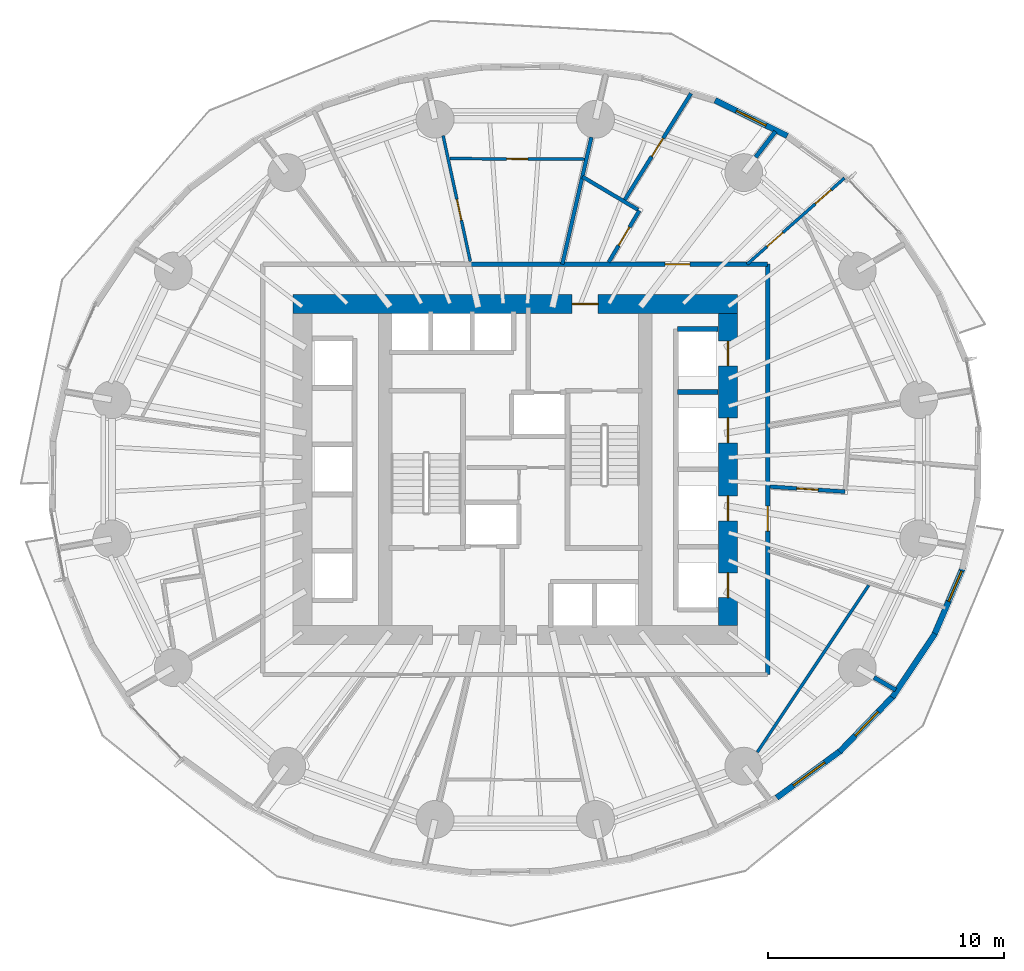
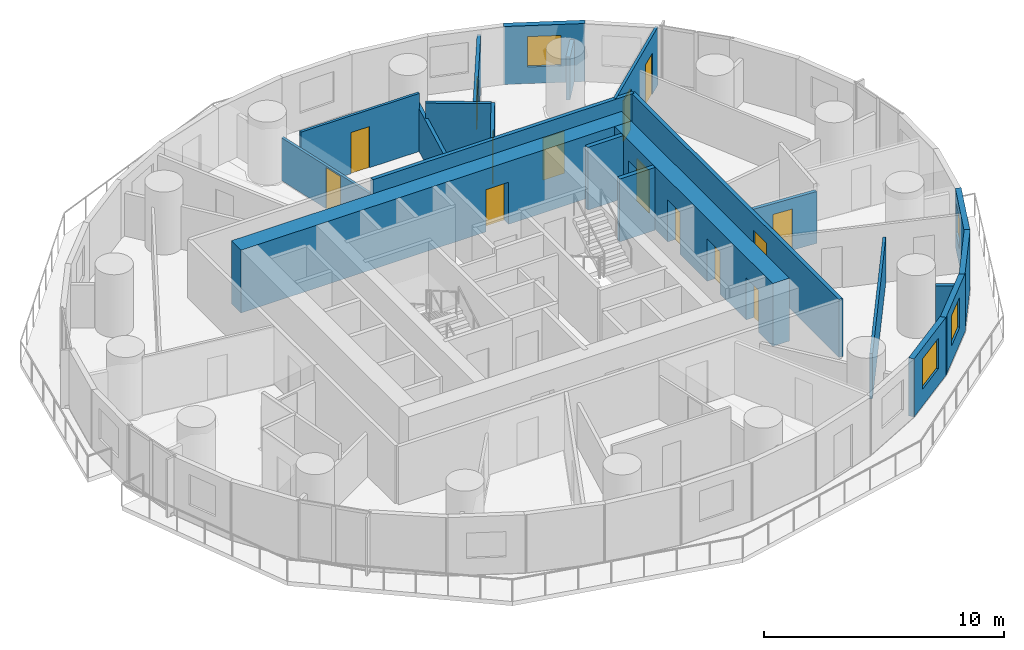
# One storey, part 9 of 14: 22 walls, 14 doors, 4 windows, 18 openings.
"""IFC4 building model written with IfcOpenShell, lengths in metres."""

from ifc_helpers import new_model, si_unit, direction, frame, frame_2d, origin, place, context, subcontext, project, spatial, rectangle, extrude, material, layer, layer_set, type_object, element, fill, save


model = new_model("IFC4")

# Units and contexts
model_context = context("Model", 3, precision=1e-05, world=origin(), true_north=direction((0.0, 1.0)))
body_context = subcontext(model_context, "Body", "Model", "MODEL_VIEW")
ifc_project = project(units=[si_unit("LENGTHUNIT", "METRE"), si_unit("AREAUNIT", "SQUARE_METRE"), si_unit("VOLUMEUNIT", "CUBIC_METRE"), si_unit("PLANEANGLEUNIT", "RADIAN"), si_unit("MASSUNIT", "GRAM", prefix="KILO")], contexts=[model_context])

# Site, building, storey
site_placement = place(None, origin())
site = spatial("IfcSite", under=ifc_project, at=site_placement, CompositionType="ELEMENT")
building_placement = place(site_placement, origin())
building = spatial("IfcBuilding", under=site, at=building_placement, Name="Veldorim Arch Residences", CompositionType="ELEMENT")
storey_placement = place(building_placement, frame((0.0, 0.0, 31.199951171875)))
storey = spatial("IfcBuildingStorey", under=building, at=storey_placement, Name="L08", CompositionType="ELEMENT", Elevation=31.199951171875)

# Wall
ifc_material_1 = material(Name="Acoustic Gypsum Board", Category="gypsum")
ifc_layer_1 = layer(ifc_material_1, 0.125, Name="Acoustic Stud Room Partition Wall 125")
ifc_layer_set_1 = layer_set([ifc_layer_1], Name="Acoustic Gypsum Board")
wall_type_1 = type_object("IfcWallType", Name="Acoustic Stud Room Partition Wall 125", PredefinedType="PARTITIONING", material=ifc_layer_set_1)
wall_1_placement = place(storey_placement, frame((42.239990234375, 12.037353515625, 0.0), z_axis=(0.0, 0.0, 1.0), x_axis=(0.55508513016, 0.831793543059, 0.0)))
element("IfcWall", 1, at=wall_1_placement, inside=storey, type_object=wall_type_1, Name="L08 interior wall WL-RES-L08-021", PredefinedType="PARTITIONING", context=body_context, shape_type="SweptSolid", body=[
    extrude(rectangle(XDim=8.48779296875, YDim=0.125, at=frame_2d((4.243896484375, 0.0))), origin(), (0.0, 0.0, 1.0), 2.327880859375),
])

# Wall, openings, doors
wall_2_placement = place(storey_placement, frame((45.927001953125, 36.32568359375, 0.0), z_axis=(0.0, 0.0, 1.0), x_axis=(-0.748844909992, -0.662745275939, 0.0)))
wall_2 = element("IfcWall", 2, at=wall_2_placement, inside=storey, type_object=wall_type_1, Name="L08 interior wall WL-RES-L08-023", PredefinedType="PARTITIONING", context=body_context, shape_type="SweptSolid", body=[
    extrude(rectangle(XDim=5.5009765625, YDim=0.125, at=frame_2d((2.75048828125, 0.0))), origin(), (0.0, 0.0, 1.0), 2.955078125),
])
opening_1_placement = place(wall_2_placement, frame((0.74609375, 0.0, 0.0)))
opening_1 = element("IfcOpeningElement", 3, at=opening_1_placement, cuts=wall_2, Name="Opening DR-INT", PredefinedType="OPENING", context=body_context, shape_type="SweptSolid", body=[
    extrude(rectangle(XDim=0.89990234375, YDim=2.10009765625, at=frame_2d((0.449951171875, 1.050048828125))), frame((0.0, 0.072509765625, 0.0), z_axis=(0.0, -1.0, 0.0), x_axis=(1.0, 0.0, 0.0)), (0.0, 0.0, 1.0), 0.14501953125),
])
opening_2_placement = place(wall_2_placement, frame((3.476318359375, 0.0, 0.0)))
opening_2 = element("IfcOpeningElement", 4, at=opening_2_placement, cuts=wall_2, Name="Opening DR-INT", PredefinedType="OPENING", context=body_context, shape_type="SweptSolid", body=[
    extrude(rectangle(XDim=0.89990234375, YDim=2.10009765625, at=frame_2d((0.449951171875, 1.050048828125))), frame((0.0, 0.072509765625, 0.0), z_axis=(0.0, -1.0, 0.0), x_axis=(1.0, 0.0, 0.0)), (0.0, 0.0, 1.0), 0.14501953125),
])
ifc_material_2 = material(Name="Engineered Timber", Category="wood")
door_type_1 = type_object("IfcDoorType", Name="Apartment Internal Room Timber Door 900x2100", OperationType="SINGLE_SWING_LEFT", PredefinedType="DOOR", material=ifc_material_2)
door_1_placement = place(opening_1_placement, origin())
door_1 = element("IfcDoor", 5, at=door_1_placement, inside=storey, type_object=door_type_1, Name="L08 interior door DR-RES-L08-015", OperationType="SINGLE_SWING_LEFT", OverallHeight=2.10009765625, OverallWidth=0.89990234375, PredefinedType="DOOR", context=body_context, shape_type="SweptSolid", body=[
    extrude(rectangle(XDim=0.89990234375, YDim=2.10009765625, at=frame_2d((0.449951171875, 1.050048828125))), frame((0.0, 0.02490234375, 0.0), z_axis=(0.0, -1.0, 0.0), x_axis=(1.0, 0.0, 0.0)), (0.0, 0.0, 1.0), 0.050048828125),
])
fill(opening_1, door_1)
door_2_placement = place(opening_2_placement, origin())
door_2 = element("IfcDoor", 6, at=door_2_placement, inside=storey, type_object=door_type_1, Name="L08 interior door DR-RES-L08-016", OperationType="SINGLE_SWING_RIGHT", OverallHeight=2.10009765625, OverallWidth=0.89990234375, PredefinedType="DOOR", context=body_context, shape_type="SweptSolid", body=[
    extrude(rectangle(XDim=0.89990234375, YDim=2.10009765625, at=frame_2d((0.449951171875, 1.050048828125))), frame((0.0, 0.02490234375, 0.0), z_axis=(0.0, -1.0, 0.0), x_axis=(1.0, 0.0, 0.0)), (0.0, 0.0, 1.0), 0.050048828125),
])
fill(opening_2, door_2)

# Wall, opening, door
wall_3_placement = place(storey_placement, frame((28.94580078125, 38.120849609375, 0.0), z_axis=(0.0, 0.0, 1.0), x_axis=(0.211435796324, -0.977391888667, 0.0)))
wall_3 = element("IfcWall", 7, at=wall_3_placement, inside=storey, type_object=wall_type_1, Name="L08 interior wall WL-RES-L08-029", PredefinedType="PARTITIONING", context=body_context, shape_type="SweptSolid", body=[
    extrude(rectangle(XDim=5.446533203125, YDim=0.125, at=frame_2d((2.72314453125, 0.0))), origin(), (0.0, 0.0, 1.0), 2.17822265625),
])
opening_3_placement = place(wall_3_placement, frame((2.76171875, 0.0, 0.0)))
opening_3 = element("IfcOpeningElement", 8, at=opening_3_placement, cuts=wall_3, Name="Opening DR-INT", PredefinedType="OPENING", context=body_context, shape_type="SweptSolid", body=[
    extrude(rectangle(XDim=0.89990234375, YDim=2.10009765625, at=frame_2d((0.449951171875, 1.050048828125))), frame((0.0, 0.072509765625, 0.0), z_axis=(0.0, -1.0, 0.0), x_axis=(1.0, 0.0, 0.0)), (0.0, 0.0, 1.0), 0.14501953125),
])
door_3_placement = place(opening_3_placement, origin())
door_3 = element("IfcDoor", 9, at=door_3_placement, inside=storey, type_object=door_type_1, Name="L08 interior door DR-RES-L08-020", OperationType="SINGLE_SWING_RIGHT", OverallHeight=2.10009765625, OverallWidth=0.89990234375, PredefinedType="DOOR", context=body_context, shape_type="SweptSolid", body=[
    extrude(rectangle(XDim=0.89990234375, YDim=2.10009765625, at=frame_2d((0.449951171875, 1.050048828125))), frame((0.0, 0.02490234375, 0.0), z_axis=(0.0, -1.0, 0.0), x_axis=(1.0, 0.0, 0.0)), (0.0, 0.0, 1.0), 0.050048828125),
])
fill(opening_3, door_3)

wall_4_placement = place(storey_placement, frame((29.236572265625, 37.146484375, 0.0), z_axis=(0.0, 0.0, 1.0), x_axis=(0.999989854874, -0.004504458806, 0.0)))
wall_4 = element("IfcWall", 10, at=wall_4_placement, inside=storey, type_object=wall_type_1, Name="L08 interior wall WL-RES-L08-031", PredefinedType="PARTITIONING", context=body_context, shape_type="SweptSolid", body=[
    extrude(rectangle(XDim=5.69091796875, YDim=0.125, at=frame_2d((2.845458984375, 0.0))), origin(), (0.0, 0.0, 1.0), 2.955078125),
])
opening_4_placement = place(wall_4_placement, frame((2.3955078125, 0.0, 0.0)))
opening_4 = element("IfcOpeningElement", 11, at=opening_4_placement, cuts=wall_4, Name="Opening DR-INT", PredefinedType="OPENING", context=body_context, shape_type="SweptSolid", body=[
    extrude(rectangle(XDim=0.89990234375, YDim=2.10009765625, at=frame_2d((0.449951171875, 1.050048828125))), frame((0.0, 0.072509765625, 0.0), z_axis=(0.0, -1.0, 0.0), x_axis=(1.0, 0.0, 0.0)), (0.0, 0.0, 1.0), 0.14501953125),
])
door_4_placement = place(opening_4_placement, origin())
door_4 = element("IfcDoor", 12, at=door_4_placement, inside=storey, type_object=door_type_1, Name="L08 interior door DR-RES-L08-021", OperationType="SINGLE_SWING_LEFT", OverallHeight=2.10009765625, OverallWidth=0.89990234375, PredefinedType="DOOR", context=body_context, shape_type="SweptSolid", body=[
    extrude(rectangle(XDim=0.89990234375, YDim=2.10009765625, at=frame_2d((0.449951171875, 1.050048828125))), frame((0.0, 0.02490234375, 0.0), z_axis=(0.0, -1.0, 0.0), x_axis=(1.0, 0.0, 0.0)), (0.0, 0.0, 1.0), 0.050048828125),
])
fill(opening_4, door_4)

# Walls
ifc_material_3 = material(Name="Lightweight Masonry Block & Gypsum", Category="masonry")
ifc_layer_2 = layer(ifc_material_3, 0.179931640625, Name="Compartment & Corridor Fire-Rated Party Wall 180")
ifc_layer_set_2 = layer_set([ifc_layer_2], Name="Lightweight Masonry Block & Gypsum")
wall_type_2 = type_object("IfcWallType", Name="Compartment & Corridor Fire-Rated Party Wall 180", PredefinedType="PARTITIONING", material=ifc_layer_set_2)
wall_5_placement = place(storey_placement, frame((42.167236328125, 37.204833984375, 0.0), z_axis=(0.0, 0.0, 1.0), x_axis=(0.609967804345, 0.792426196982, 0.0)))
element("IfcWall", 13, at=wall_5_placement, inside=storey, type_object=wall_type_2, Name="L08 interior wall WL-PIER-L08-03", PredefinedType="PARTITIONING", context=body_context, shape_type="SweptSolid", body=[
    extrude(rectangle(XDim=1.376953125, YDim=0.179931640625, at=frame_2d((0.6884765625, 0.0))), origin(), (0.0, 0.0, 1.0), 2.17822265625),
])
wall_6_placement = place(storey_placement, frame((47.177001953125, 15.19970703125, 0.0), z_axis=(0.0, 0.0, 1.0), x_axis=(0.865001274409, -0.501769663562, 0.0)))
element("IfcWall", 14, at=wall_6_placement, inside=storey, type_object=wall_type_2, Name="L08 interior wall WL-PIER-L08-15", PredefinedType="PARTITIONING", context=body_context, shape_type="SweptSolid", body=[
    extrude(rectangle(XDim=1.062744140625, YDim=0.179931640625, at=frame_2d((0.53125, 0.0))), origin(), (0.0, 0.0, 1.0), 2.17822265625),
])

# Wall, opening, door
wall_7_placement = place(storey_placement, frame((42.679931640625, 32.679931640625, 0.0), z_axis=(0.0, 0.0, 1.0), x_axis=(0.0, -1.0, 0.0)))
wall_7 = element("IfcWall", 15, at=wall_7_placement, inside=storey, type_object=wall_type_2, Name="L08 interior wall WL-RES-L08-004", PredefinedType="PARTITIONING", context=body_context, shape_type="SweptSolid", body=[
    extrude(rectangle(XDim=17.35986328125, YDim=0.179931640625, at=frame_2d((8.679931640625, 0.0))), origin(), (0.0, 0.0, 1.0), 2.955078125),
])
opening_5_placement = place(wall_7_placement, frame((10.239501953125, 0.0, 0.0)))
opening_5 = element("IfcOpeningElement", 16, at=opening_5_placement, cuts=wall_7, Name="Opening DR-FLT", PredefinedType="OPENING", context=body_context, shape_type="SweptSolid", body=[
    extrude(rectangle(XDim=1.050048828125, YDim=2.14990234375, at=frame_2d((0.52490234375, 1.074951171875))), frame((0.0, 0.099853515625, 0.0), z_axis=(0.0, -1.0, 0.0), x_axis=(1.0, 0.0, 0.0)), (0.0, 0.0, 1.0), 0.199951171875),
])
ifc_material_4 = material(Name="Fire-Rated Timber", Category="wood")
door_type_2 = type_object("IfcDoorType", Name="Apartment Entrance Solid-Core Fire Door 1050x2150", OperationType="SINGLE_SWING_LEFT", PredefinedType="DOOR", material=ifc_material_4)
door_5_placement = place(opening_5_placement, origin())
door_5 = element("IfcDoor", 17, at=door_5_placement, inside=storey, type_object=door_type_2, Name="L08 interior door DR-RES-L08-008", OperationType="SINGLE_SWING_RIGHT", OverallHeight=2.14990234375, OverallWidth=1.050048828125, PredefinedType="DOOR", context=body_context, shape_type="SweptSolid", body=[
    extrude(rectangle(XDim=1.050048828125, YDim=2.14990234375, at=frame_2d((0.52490234375, 1.074951171875))), frame((0.0, 0.02490234375, 0.0), z_axis=(0.0, -1.0, 0.0), x_axis=(1.0, 0.0, 0.0)), (0.0, 0.0, 1.0), 0.050048828125),
])
fill(opening_5, door_5)

wall_8_placement = place(storey_placement, frame((30.102294921875, 32.679931640625, 0.0), z_axis=(0.0, 0.0, 1.0), x_axis=(1.0, 0.0, 0.0)))
wall_8 = element("IfcWall", 18, at=wall_8_placement, inside=storey, type_object=wall_type_2, Name="L08 interior wall WL-RES-L08-005", PredefinedType="PARTITIONING", context=body_context, shape_type="SweptSolid", body=[
    extrude(rectangle(XDim=12.57763671875, YDim=0.179931640625, at=frame_2d((6.288818359375, 0.0))), origin(), (0.0, 0.0, 1.0), 2.955078125),
])
opening_6_placement = place(wall_8_placement, frame((8.23291015625, 0.0, 0.0)))
opening_6 = element("IfcOpeningElement", 19, at=opening_6_placement, cuts=wall_8, Name="Opening DR-FLT", PredefinedType="OPENING", context=body_context, shape_type="SweptSolid", body=[
    extrude(rectangle(XDim=1.050048828125, YDim=2.14990234375, at=frame_2d((0.52490234375, 1.074951171875))), frame((0.0, 0.099853515625, 0.0), z_axis=(0.0, -1.0, 0.0), x_axis=(1.0, 0.0, 0.0)), (0.0, 0.0, 1.0), 0.199951171875),
])
door_6_placement = place(opening_6_placement, origin())
door_6 = element("IfcDoor", 20, at=door_6_placement, inside=storey, type_object=door_type_2, Name="L08 interior door DR-RES-L08-013", OperationType="SINGLE_SWING_LEFT", OverallHeight=2.14990234375, OverallWidth=1.050048828125, PredefinedType="DOOR", context=body_context, shape_type="SweptSolid", body=[
    extrude(rectangle(XDim=1.050048828125, YDim=2.14990234375, at=frame_2d((0.52490234375, 1.074951171875))), frame((0.0, 0.02490234375, 0.0), z_axis=(0.0, -1.0, 0.0), x_axis=(1.0, 0.0, 0.0)), (0.0, 0.0, 1.0), 0.050048828125),
])
fill(opening_6, door_6)

# Walls
ifc_material_5 = material(Name="Concrete C50/60", Category="concrete")
ifc_layer_3 = layer(ifc_material_5, 0.199951171875, Name="Core Stair & Lift Shaft Enclosure Wall 200")
ifc_layer_set_3 = layer_set([ifc_layer_3], Name="Concrete C50/60")
wall_type_3 = type_object("IfcWallType", Name="Core Stair & Lift Shaft Enclosure Wall 200", PredefinedType="SHEAR", material=ifc_layer_set_3)
for number, where, z_axis, x_axis, name in (
    (21, (38.8701171875, 29.93994140625, 0.0), (0.0, 0.0, 1.0), (1.0, 0.0, 0.0), "L08 shaft wall WL-B1-L08-N"),
    (22, (38.8701171875, 27.27490234375, 0.0), (0.0, 0.0, 1.0), (1.0, 0.0, 0.0), "L08 shaft wall WL-B1-L08-D3"),
):
    element("IfcWall", number, at=place(storey_placement, frame(where, z_axis=z_axis, x_axis=x_axis)), inside=storey, type_object=wall_type_3, Name=name, PredefinedType="SHEAR", context=body_context, shape_type="SweptSolid", body=[
        extrude(rectangle(XDim=1.7099609375, YDim=0.199951171875, at=frame_2d((0.85498046875, 0.0))), origin(), (0.0, 0.0, 1.0), 3.199951171875),
    ])

# Wall, opening, door
ifc_material_6 = material(Name="Concrete C60/75", Category="concrete")
ifc_layer_4 = layer(ifc_material_6, 0.800048828125, Name="Lower Central Core Shear Wall 800")
ifc_layer_set_4 = layer_set([ifc_layer_4], Name="Concrete C60/75")
wall_type_4 = type_object("IfcWallType", Name="Lower Central Core Shear Wall 800", PredefinedType="SHEAR", material=ifc_layer_set_4)
wall_9_placement = place(storey_placement, frame((22.60009765625, 31.0, 0.0), z_axis=(0.0, 0.0, 1.0), x_axis=(1.0, 0.0, 0.0)))
wall_9 = element("IfcWall", 23, at=wall_9_placement, inside=storey, type_object=wall_type_4, Name="L08 central core north shear wall", PredefinedType="SHEAR", context=body_context, shape_type="SweptSolid", body=[
    extrude(rectangle(XDim=18.7998046875, YDim=0.800048828125, at=frame_2d((9.39990234375, 0.0))), origin(), (0.0, 0.0, 1.0), 3.199951171875),
])
opening_7_placement = place(wall_9_placement, frame((11.800048828125, 0.0, 0.0)))
opening_7 = element("IfcOpeningElement", 24, at=opening_7_placement, cuts=wall_9, Name="Opening DR-FFL", PredefinedType="OPENING", context=body_context, shape_type="SweptSolid", body=[
    extrude(rectangle(XDim=1.10009765625, YDim=2.14990234375, at=frame_2d((0.550048828125, 1.074951171875))), frame((0.0, 0.409912109375, 0.0), z_axis=(0.0, -1.0, 0.0), x_axis=(1.0, 0.0, 0.0)), (0.0, 0.0, 1.0), 0.820068359375),
])
ifc_material_7 = material(Name="Fire-Rated Steel & Vision Glass", Category="steel")
door_type_3 = type_object("IfcDoorType", Name="Firefighting Lobby Smoke-Stop Fire Door 1100x2150", OperationType="SINGLE_SWING_LEFT", PredefinedType="DOOR", material=ifc_material_7)
door_7_placement = place(opening_7_placement, origin())
door_7 = element("IfcDoor", 25, at=door_7_placement, inside=storey, type_object=door_type_3, Name="L08 interior door DR-L08-FFL2", OperationType="SINGLE_SWING_LEFT", OverallHeight=2.14990234375, OverallWidth=1.10009765625, PredefinedType="DOOR", context=body_context, shape_type="SweptSolid", body=[
    extrude(rectangle(XDim=1.10009765625, YDim=2.14990234375, at=frame_2d((0.550048828125, 1.074951171875))), frame((0.0, 0.02490234375, 0.0), z_axis=(0.0, -1.0, 0.0), x_axis=(1.0, 0.0, 0.0)), (0.0, 0.0, 1.0), 0.050048828125),
])
fill(opening_7, door_7)

# Wall, openings, doors
wall_10_placement = place(storey_placement, frame((41.0, 17.39990234375, 0.0), z_axis=(0.0, 0.0, 1.0), x_axis=(0.0, 1.0, 0.0)))
wall_10 = element("IfcWall", 26, at=wall_10_placement, inside=storey, type_object=wall_type_4, Name="L08 central core east shear wall", PredefinedType="SHEAR", context=body_context, shape_type="SweptSolid", body=[
    extrude(rectangle(XDim=13.2001953125, YDim=0.800048828125, at=frame_2d((6.60009765625, 0.0))), origin(), (0.0, 0.0, 1.0), 3.199951171875),
])
opening_8_placement = place(wall_10_placement, frame((1.175048828125, 0.0, 0.0)))
opening_8 = element("IfcOpeningElement", 27, at=opening_8_placement, cuts=wall_10, Name="Opening LD-PS", PredefinedType="OPENING", context=body_context, shape_type="SweptSolid", body=[
    extrude(rectangle(XDim=1.050048828125, YDim=2.14990234375, at=frame_2d((0.52490234375, 1.074951171875))), frame((0.0, 0.409912109375, 0.0), z_axis=(0.0, -1.0, 0.0), x_axis=(1.0, 0.0, 0.0)), (0.0, 0.0, 1.0), 0.820068359375),
])
opening_9_placement = place(wall_10_placement, frame((4.425048828125, 0.0, 0.0)))
opening_9 = element("IfcOpeningElement", 28, at=opening_9_placement, cuts=wall_10, Name="Opening LD-PS", PredefinedType="OPENING", context=body_context, shape_type="SweptSolid", body=[
    extrude(rectangle(XDim=1.050048828125, YDim=2.14990234375, at=frame_2d((0.52490234375, 1.074951171875))), frame((0.0, 0.409912109375, 0.0), z_axis=(0.0, -1.0, 0.0), x_axis=(1.0, 0.0, 0.0)), (0.0, 0.0, 1.0), 0.820068359375),
])
opening_10_placement = place(wall_10_placement, frame((7.72509765625, 0.0, 0.0)))
opening_10 = element("IfcOpeningElement", 29, at=opening_10_placement, cuts=wall_10, Name="Opening LD-PS", PredefinedType="OPENING", context=body_context, shape_type="SweptSolid", body=[
    extrude(rectangle(XDim=1.050048828125, YDim=2.14990234375, at=frame_2d((0.52490234375, 1.074951171875))), frame((0.0, 0.409912109375, 0.0), z_axis=(0.0, -1.0, 0.0), x_axis=(1.0, 0.0, 0.0)), (0.0, 0.0, 1.0), 0.820068359375),
])
opening_11_placement = place(wall_10_placement, frame((10.97509765625, 0.0, 0.0)))
opening_11 = element("IfcOpeningElement", 30, at=opening_11_placement, cuts=wall_10, Name="Opening LD-PS", PredefinedType="OPENING", context=body_context, shape_type="SweptSolid", body=[
    extrude(rectangle(XDim=1.050048828125, YDim=2.14990234375, at=frame_2d((0.52490234375, 1.074951171875))), frame((0.0, 0.409912109375, 0.0), z_axis=(0.0, -1.0, 0.0), x_axis=(1.0, 0.0, 0.0)), (0.0, 0.0, 1.0), 0.820068359375),
])
ifc_material_8 = material(Name="Stainless Steel", Category="steel")
door_type_4 = type_object("IfcDoorType", Name="Passenger Lift Bi-Parting Sliding Landing Door 1050x2150", OperationType="DOUBLE_DOOR_SLIDING", PredefinedType="DOOR", material=ifc_material_8)
door_8_placement = place(opening_8_placement, origin())
door_8 = element("IfcDoor", 31, at=door_8_placement, inside=storey, type_object=door_type_4, Name="L08 lift landing door LD-L08-PL-01", OperationType="DOUBLE_DOOR_SLIDING", OverallHeight=2.14990234375, OverallWidth=1.050048828125, PredefinedType="DOOR", context=body_context, shape_type="SweptSolid", body=[
    extrude(rectangle(XDim=1.050048828125, YDim=2.14990234375, at=frame_2d((0.52490234375, 1.074951171875))), frame((0.0, 0.02490234375, 0.0), z_axis=(0.0, -1.0, 0.0), x_axis=(1.0, 0.0, 0.0)), (0.0, 0.0, 1.0), 0.050048828125),
])
fill(opening_8, door_8)
door_9_placement = place(opening_9_placement, origin())
door_9 = element("IfcDoor", 32, at=door_9_placement, inside=storey, type_object=door_type_4, Name="L08 lift landing door LD-L08-PL-02", OperationType="DOUBLE_DOOR_SLIDING", OverallHeight=2.14990234375, OverallWidth=1.050048828125, PredefinedType="DOOR", context=body_context, shape_type="SweptSolid", body=[
    extrude(rectangle(XDim=1.050048828125, YDim=2.14990234375, at=frame_2d((0.52490234375, 1.074951171875))), frame((0.0, 0.02490234375, 0.0), z_axis=(0.0, -1.0, 0.0), x_axis=(1.0, 0.0, 0.0)), (0.0, 0.0, 1.0), 0.050048828125),
])
fill(opening_9, door_9)
door_10_placement = place(opening_10_placement, origin())
door_10 = element("IfcDoor", 33, at=door_10_placement, inside=storey, type_object=door_type_4, Name="L08 lift landing door LD-L08-PL-03", OperationType="DOUBLE_DOOR_SLIDING", OverallHeight=2.14990234375, OverallWidth=1.050048828125, PredefinedType="DOOR", context=body_context, shape_type="SweptSolid", body=[
    extrude(rectangle(XDim=1.050048828125, YDim=2.14990234375, at=frame_2d((0.52490234375, 1.074951171875))), frame((0.0, 0.02490234375, 0.0), z_axis=(0.0, -1.0, 0.0), x_axis=(1.0, 0.0, 0.0)), (0.0, 0.0, 1.0), 0.050048828125),
])
fill(opening_10, door_10)
door_11_placement = place(opening_11_placement, origin())
door_11 = element("IfcDoor", 34, at=door_11_placement, inside=storey, type_object=door_type_4, Name="L08 lift landing door LD-L08-PL-04", OperationType="DOUBLE_DOOR_SLIDING", OverallHeight=2.14990234375, OverallWidth=1.050048828125, PredefinedType="DOOR", context=body_context, shape_type="SweptSolid", body=[
    extrude(rectangle(XDim=1.050048828125, YDim=2.14990234375, at=frame_2d((0.52490234375, 1.074951171875))), frame((0.0, 0.02490234375, 0.0), z_axis=(0.0, -1.0, 0.0), x_axis=(1.0, 0.0, 0.0)), (0.0, 0.0, 1.0), 0.050048828125),
])
fill(opening_11, door_11)

# Wall, opening, window
ifc_material_9 = material(Name="Precast concrete C40/50", Category="concrete")
ifc_layer_5 = layer(ifc_material_9, 0.25, Name="Tower Terracotta Spandrel & Pier Wall 250")
ifc_layer_set_5 = layer_set([ifc_layer_5], Name="Precast concrete C40/50")
wall_type_5 = type_object("IfcWallType", Name="Tower Terracotta Spandrel & Pier Wall 250", PredefinedType="SOLIDWALL", material=ifc_layer_set_5)
wall_11_placement = place(storey_placement, frame((40.45751953125, 39.615478515625, 0.0), z_axis=(0.0, 0.0, 1.0), x_axis=(0.896727977212, -0.442582122193, 0.0)))
wall_11 = element("IfcWall", 35, at=wall_11_placement, inside=storey, type_object=wall_type_5, Name="L08 terracotta facade wall 06", PredefinedType="SOLIDWALL", context=body_context, shape_type="SweptSolid", body=[
    extrude(rectangle(XDim=3.399169921875, YDim=0.25, at=frame_2d((1.69970703125, 0.0))), origin(), (0.0, 0.0, 1.0), 2.9599609375),
])
opening_12_placement = place(wall_11_placement, frame((1.0, 0.0, 0.85009765625)))
opening_12 = element("IfcOpeningElement", 36, at=opening_12_placement, cuts=wall_11, Name="Opening WN-02", PredefinedType="OPENING", context=body_context, shape_type="SweptSolid", body=[
    extrude(rectangle(XDim=1.39990234375, YDim=1.550048828125, at=frame_2d((0.699951171875, 0.77490234375))), frame((0.0, 0.135009765625, 0.0), z_axis=(0.0, -1.0, 0.0), x_axis=(1.0, 0.0, 0.0)), (0.0, 0.0, 1.0), 0.27001953125),
])
ifc_material_10 = material(Name="Laminated Low-E Glass", Category="glass")
window_type_1 = type_object("IfcWindowType", Name="Residential Casement Window 1400x1550", PartitioningType="SINGLE_PANEL", PredefinedType="WINDOW", material=ifc_material_10)
window_1_placement = place(opening_12_placement, origin())
window_1 = element("IfcWindow", 37, at=window_1_placement, inside=storey, type_object=window_type_1, Name="L08 solar-control facade window 06", OverallHeight=1.550048828125, OverallWidth=1.39990234375, PartitioningType="SINGLE_PANEL", PredefinedType="WINDOW", context=body_context, shape_type="SweptSolid", body=[
    extrude(rectangle(XDim=1.39990234375, YDim=1.550048828125, at=frame_2d((0.699951171875, 0.77490234375))), frame((0.0, 0.030029296875, 0.0), z_axis=(0.0, -1.0, 0.0), x_axis=(1.0, 0.0, 0.0)), (0.0, 0.0, 1.0), 0.06005859375),
])
fill(opening_12, window_1)

wall_12_placement = place(storey_placement, frame((45.797607421875, 12.120361328125, 0.0), z_axis=(0.0, 0.0, 1.0), x_axis=(-0.805405938507, -0.592723606935, 0.0)))
wall_12 = element("IfcWall", 38, at=wall_12_placement, inside=storey, type_object=wall_type_5, Name="L08 terracotta facade wall 31", PredefinedType="SOLIDWALL", context=body_context, shape_type="SweptSolid", body=[
    extrude(rectangle(XDim=3.39892578125, YDim=0.25, at=frame_2d((1.699462890625, 0.0))), origin(), (0.0, 0.0, 1.0), 2.9599609375),
])
opening_13_placement = place(wall_12_placement, frame((0.875, 0.0, 0.85009765625)))
opening_13 = element("IfcOpeningElement", 39, at=opening_13_placement, cuts=wall_12, Name="Opening WN-03", PredefinedType="OPENING", context=body_context, shape_type="SweptSolid", body=[
    extrude(rectangle(XDim=1.64990234375, YDim=1.550048828125, at=frame_2d((0.824951171875, 0.77490234375))), frame((0.0, 0.135009765625, 0.0), z_axis=(0.0, -1.0, 0.0), x_axis=(1.0, 0.0, 0.0)), (0.0, 0.0, 1.0), 0.27001953125),
])
ifc_material_11 = material(Name="Laminated Low-E Glass", Category="glass")
window_type_2 = type_object("IfcWindowType", Name="Residential Wide Window 1650x1550", PartitioningType="SINGLE_PANEL", PredefinedType="WINDOW", material=ifc_material_11)
window_2_placement = place(opening_13_placement, origin())
window_2 = element("IfcWindow", 40, at=window_2_placement, inside=storey, type_object=window_type_2, Name="L08 solar-control facade window 31", OverallHeight=1.550048828125, OverallWidth=1.64990234375, PartitioningType="SINGLE_PANEL", PredefinedType="WINDOW", context=body_context, shape_type="SweptSolid", body=[
    extrude(rectangle(XDim=1.64990234375, YDim=1.550048828125, at=frame_2d((0.824951171875, 0.77490234375))), frame((0.0, 0.030029296875, 0.0), z_axis=(0.0, -1.0, 0.0), x_axis=(1.0, 0.0, 0.0)), (0.0, 0.0, 1.0), 0.06005859375),
])
fill(opening_13, window_2)

wall_13_placement = place(storey_placement, frame((48.021484375, 14.4384765625, 0.0), z_axis=(0.0, 0.0, 1.0), x_axis=(-0.694392538781, -0.719596416115, 0.0)))
wall_13 = element("IfcWall", 41, at=wall_13_placement, inside=storey, type_object=wall_type_5, Name="L08 terracotta facade wall 32", PredefinedType="SOLIDWALL", context=body_context, shape_type="SweptSolid", body=[
    extrude(rectangle(XDim=3.322509765625, YDim=0.25, at=frame_2d((1.6611328125, 0.0))), origin(), (0.0, 0.0, 1.0), 2.9599609375),
])
opening_14_placement = place(wall_13_placement, frame((0.9609375, 0.0, 0.85009765625)))
opening_14 = element("IfcOpeningElement", 42, at=opening_14_placement, cuts=wall_13, Name="Opening WN-02", PredefinedType="OPENING", context=body_context, shape_type="SweptSolid", body=[
    extrude(rectangle(XDim=1.39990234375, YDim=1.550048828125, at=frame_2d((0.699951171875, 0.77490234375))), frame((0.0, 0.135009765625, 0.0), z_axis=(0.0, -1.0, 0.0), x_axis=(1.0, 0.0, 0.0)), (0.0, 0.0, 1.0), 0.27001953125),
])
window_3_placement = place(opening_14_placement, origin())
window_3 = element("IfcWindow", 43, at=window_3_placement, inside=storey, type_object=window_type_1, Name="L08 solar-control facade window 32", OverallHeight=1.550048828125, OverallWidth=1.39990234375, PartitioningType="SINGLE_PANEL", PredefinedType="WINDOW", context=body_context, shape_type="SweptSolid", body=[
    extrude(rectangle(XDim=1.39990234375, YDim=1.550048828125, at=frame_2d((0.699951171875, 0.77490234375))), frame((0.0, 0.030029296875, 0.0), z_axis=(0.0, -1.0, 0.0), x_axis=(1.0, 0.0, 0.0)), (0.0, 0.0, 1.0), 0.06005859375),
])
fill(opening_14, window_3)

# Wall
wall_14_placement = place(storey_placement, frame((49.7578125, 17.046630859375, 0.0), z_axis=(0.0, 0.0, 1.0), x_axis=(-0.556764929833, -0.83067009872, 0.0)))
element("IfcWall", 44, at=wall_14_placement, inside=storey, type_object=wall_type_5, Name="L08 terracotta facade wall 33", PredefinedType="SOLIDWALL", context=body_context, shape_type="SweptSolid", body=[
    extrude(rectangle(XDim=3.244384765625, YDim=0.25, at=frame_2d((1.6220703125, 0.0))), origin(), (0.0, 0.0, 1.0), 2.9599609375),
])

# Wall, opening, window
wall_15_placement = place(storey_placement, frame((50.95361328125, 19.865234375, 0.0), z_axis=(0.0, 0.0, 1.0), x_axis=(-0.393733630937, -0.91922457967, 0.0)))
wall_15 = element("IfcWall", 45, at=wall_15_placement, inside=storey, type_object=wall_type_5, Name="L08 terracotta facade wall 34", PredefinedType="SOLIDWALL", context=body_context, shape_type="SweptSolid", body=[
    extrude(rectangle(XDim=3.174072265625, YDim=0.25, at=frame_2d((1.5869140625, 0.0))), origin(), (0.0, 0.0, 1.0), 2.9599609375),
])
opening_15_placement = place(wall_15_placement, frame((0.175048828125, 0.0, 0.85009765625)))
opening_15 = element("IfcOpeningElement", 46, at=opening_15_placement, cuts=wall_15, Name="Opening WN-02", PredefinedType="OPENING", context=body_context, shape_type="SweptSolid", body=[
    extrude(rectangle(XDim=1.39990234375, YDim=1.550048828125, at=frame_2d((0.699951171875, 0.77490234375))), frame((0.0, 0.135009765625, 0.0), z_axis=(0.0, -1.0, 0.0), x_axis=(1.0, 0.0, 0.0)), (0.0, 0.0, 1.0), 0.27001953125),
])
window_4_placement = place(opening_15_placement, origin())
window_4 = element("IfcWindow", 47, at=window_4_placement, inside=storey, type_object=window_type_1, Name="L08 solar-control facade window 34", OverallHeight=1.550048828125, OverallWidth=1.39990234375, PartitioningType="SINGLE_PANEL", PredefinedType="WINDOW", context=body_context, shape_type="SweptSolid", body=[
    extrude(rectangle(XDim=1.39990234375, YDim=1.550048828125, at=frame_2d((0.699951171875, 0.77490234375))), frame((0.0, 0.030029296875, 0.0), z_axis=(0.0, -1.0, 0.0), x_axis=(1.0, 0.0, 0.0)), (0.0, 0.0, 1.0), 0.06005859375),
])
fill(opening_15, window_4)

# Wall, opening, door
ifc_material_12 = material(Name="Moisture-Resistant Gypsum & Stud", Category="gypsum")
ifc_layer_6 = layer(ifc_material_12, 0.159912109375, Name="Wet-Area Moisture-Resistant Plumbing Wall 160")
ifc_layer_set_6 = layer_set([ifc_layer_6], Name="Moisture-Resistant Gypsum & Stud")
wall_type_6 = type_object("IfcWallType", Name="Wet-Area Moisture-Resistant Plumbing Wall 160", PredefinedType="PLUMBINGWALL", material=ifc_layer_set_6)
wall_16_placement = place(storey_placement, frame((42.77978515625, 23.269287109375, 0.0), z_axis=(0.0, 0.0, 1.0), x_axis=(0.99776911562, -0.066759208461, 0.0)))
wall_16 = element("IfcWall", 48, at=wall_16_placement, inside=storey, type_object=wall_type_6, Name="L08 interior wall WL-RES-L08-018", PredefinedType="PLUMBINGWALL", context=body_context, shape_type="SweptSolid", body=[
    extrude(rectangle(XDim=3.170654296875, YDim=0.159912109375, at=frame_2d((1.58544921875, 0.0))), origin(), (0.0, 0.0, 1.0), 2.641357421875),
])
opening_16_placement = place(wall_16_placement, frame((1.13525390625, 0.0, 0.0)))
opening_16 = element("IfcOpeningElement", 49, at=opening_16_placement, cuts=wall_16, Name="Opening DR-INT", PredefinedType="OPENING", context=body_context, shape_type="SweptSolid", body=[
    extrude(rectangle(XDim=0.89990234375, YDim=2.10009765625, at=frame_2d((0.449951171875, 1.050048828125))), frame((0.0, 0.08984375, 0.0), z_axis=(0.0, -1.0, 0.0), x_axis=(1.0, 0.0, 0.0)), (0.0, 0.0, 1.0), 0.179931640625),
])
door_12_placement = place(opening_16_placement, origin())
door_12 = element("IfcDoor", 50, at=door_12_placement, inside=storey, type_object=door_type_1, Name="L08 interior door DR-RES-L08-012", OperationType="SINGLE_SWING_RIGHT", OverallHeight=2.10009765625, OverallWidth=0.89990234375, PredefinedType="DOOR", context=body_context, shape_type="SweptSolid", body=[
    extrude(rectangle(XDim=0.89990234375, YDim=2.10009765625, at=frame_2d((0.449951171875, 1.050048828125))), frame((0.0, 0.02490234375, 0.0), z_axis=(0.0, -1.0, 0.0), x_axis=(1.0, 0.0, 0.0)), (0.0, 0.0, 1.0), 0.050048828125),
])
fill(opening_16, door_12)

wall_17_placement = place(storey_placement, frame((36.591064453125, 35.33984375, 0.0), z_axis=(0.0, 0.0, 1.0), x_axis=(0.528851652391, 0.848714280405, 0.0)))
wall_17 = element("IfcWall", 51, at=wall_17_placement, inside=storey, type_object=wall_type_6, Name="L08 interior wall WL-RES-L08-022", PredefinedType="PLUMBINGWALL", context=body_context, shape_type="SweptSolid", body=[
    extrude(rectangle(XDim=5.377197265625, YDim=0.159912109375, at=frame_2d((2.6884765625, 0.0))), origin(), (0.0, 0.0, 1.0), 2.641357421875),
])
opening_17_placement = place(wall_17_placement, frame((2.238525390625, 0.0, 0.0)))
opening_17 = element("IfcOpeningElement", 52, at=opening_17_placement, cuts=wall_17, Name="Opening DR-WC", PredefinedType="OPENING", context=body_context, shape_type="SweptSolid", body=[
    extrude(rectangle(XDim=0.89990234375, YDim=2.10009765625, at=frame_2d((0.449951171875, 1.050048828125))), frame((0.0, 0.08984375, 0.0), z_axis=(0.0, -1.0, 0.0), x_axis=(1.0, 0.0, 0.0)), (0.0, 0.0, 1.0), 0.179931640625),
])
ifc_material_13 = material(Name="Laminate Timber", Category="wood")
door_type_5 = type_object("IfcDoorType", Name="Bathroom & Accessible WC Moisture-Sealed Door 900x2100", OperationType="SINGLE_SWING_LEFT", PredefinedType="DOOR", material=ifc_material_13)
door_13_placement = place(opening_17_placement, origin())
door_13 = element("IfcDoor", 53, at=door_13_placement, inside=storey, type_object=door_type_5, Name="L08 interior door DR-RES-L08-014", OperationType="SINGLE_SWING_RIGHT", OverallHeight=2.10009765625, OverallWidth=0.89990234375, PredefinedType="DOOR", context=body_context, shape_type="SweptSolid", body=[
    extrude(rectangle(XDim=0.89990234375, YDim=2.10009765625, at=frame_2d((0.449951171875, 1.050048828125))), frame((0.0, 0.02490234375, 0.0), z_axis=(0.0, -1.0, 0.0), x_axis=(1.0, 0.0, 0.0)), (0.0, 0.0, 1.0), 0.050048828125),
])
fill(opening_17, door_13)

wall_18_placement = place(storey_placement, frame((35.953369140625, 32.76611328125, 0.0), z_axis=(0.0, 0.0, 1.0), x_axis=(0.510445432616, 0.859910146656, 0.0)))
wall_18 = element("IfcWall", 54, at=wall_18_placement, inside=storey, type_object=wall_type_6, Name="L08 interior wall WL-RES-L08-024", PredefinedType="PLUMBINGWALL", context=body_context, shape_type="SweptSolid", body=[
    extrude(rectangle(XDim=2.538818359375, YDim=0.159912109375, at=frame_2d((1.26953125, 0.0))), origin(), (0.0, 0.0, 1.0), 2.955078125),
])
opening_18_placement = place(wall_18_placement, frame((0.8193359375, 0.0, 0.0)))
opening_18 = element("IfcOpeningElement", 55, at=opening_18_placement, cuts=wall_18, Name="Opening DR-INT", PredefinedType="OPENING", context=body_context, shape_type="SweptSolid", body=[
    extrude(rectangle(XDim=0.89990234375, YDim=2.10009765625, at=frame_2d((0.449951171875, 1.050048828125))), frame((0.0, 0.08984375, 0.0), z_axis=(0.0, -1.0, 0.0), x_axis=(1.0, 0.0, 0.0)), (0.0, 0.0, 1.0), 0.179931640625),
])
door_14_placement = place(opening_18_placement, origin())
door_14 = element("IfcDoor", 56, at=door_14_placement, inside=storey, type_object=door_type_1, Name="L08 interior door DR-RES-L08-017", OperationType="SINGLE_SWING_LEFT", OverallHeight=2.10009765625, OverallWidth=0.89990234375, PredefinedType="DOOR", context=body_context, shape_type="SweptSolid", body=[
    extrude(rectangle(XDim=0.89990234375, YDim=2.10009765625, at=frame_2d((0.449951171875, 1.050048828125))), frame((0.0, 0.02490234375, 0.0), z_axis=(0.0, -1.0, 0.0), x_axis=(1.0, 0.0, 0.0)), (0.0, 0.0, 1.0), 0.050048828125),
])
fill(opening_18, door_14)

# Walls
wall_19_placement = place(storey_placement, frame((37.197509765625, 34.979736328125, 0.0), z_axis=(0.0, 0.0, 1.0), x_axis=(-0.859877932507, 0.51049969754, 0.0)))
element("IfcWall", 57, at=wall_19_placement, inside=storey, type_object=wall_type_6, Name="L08 interior wall WL-RES-L08-025", PredefinedType="PLUMBINGWALL", context=body_context, shape_type="SweptSolid", body=[
    extrude(rectangle(XDim=2.744140625, YDim=0.159912109375, at=frame_2d((1.3720703125, 0.0))), origin(), (0.0, 0.0, 1.0), 2.955078125),
])
wall_20_placement = place(storey_placement, frame((33.989501953125, 32.679931640625, 0.0), z_axis=(0.0, 0.0, 1.0), x_axis=(0.223393692733, 0.974728299603, 0.0)))
element("IfcWall", 58, at=wall_20_placement, inside=storey, type_object=wall_type_6, Name="L08 interior wall WL-RES-L08-026", PredefinedType="PLUMBINGWALL", context=body_context, shape_type="SweptSolid", body=[
    extrude(rectangle(XDim=5.51123046875, YDim=0.159912109375, at=frame_2d((2.755615234375, 0.0))), origin(), (0.0, 0.0, 1.0), 2.17822265625),
])

save(model, "model.ifc")
